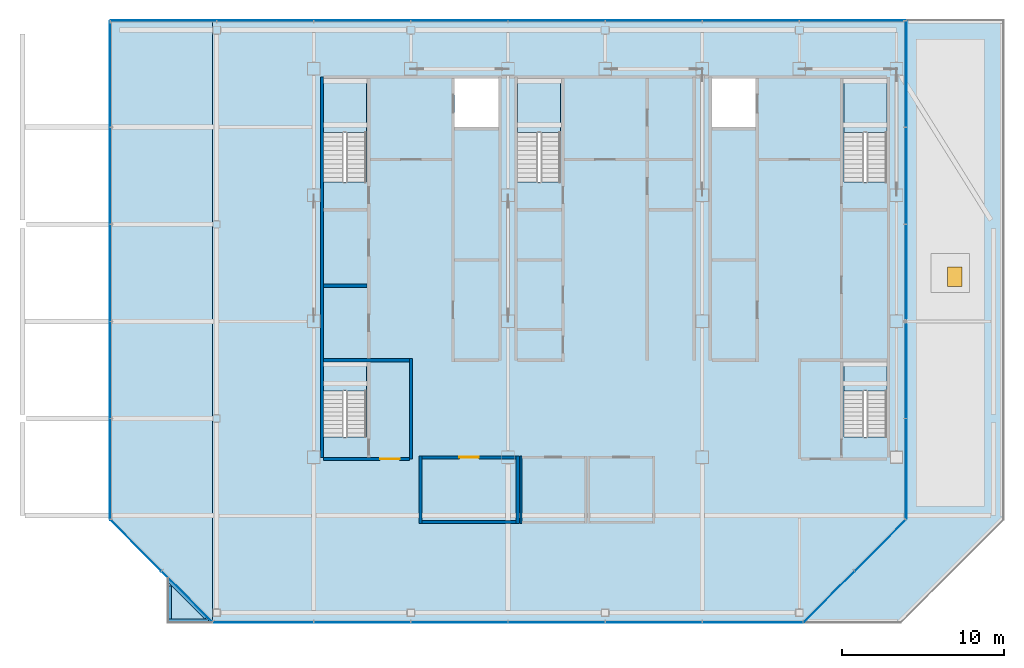
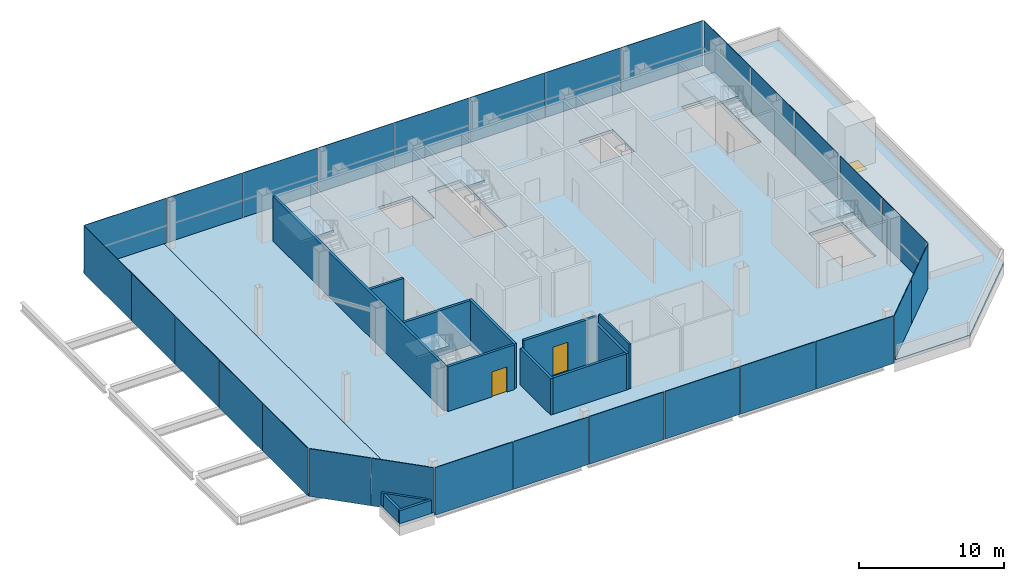
# One storey, part 12 of 17: 28 plates, 13 walls, 9 slabs, 2 doors, 1 window, 3 openings, 11 elements without a shape of their own.
"""IFC4 building model written with IfcOpenShell, lengths in metres."""

from ifc_helpers import new_model, si_unit, direction, frame, frame_2d, origin, origin_2d, place, context, subcontext, project, spatial, polyline, rectangle, outline, extrude, material, layer, layer_set, type_object, element, fill, aggregate, save


model = new_model("IFC4")

# Units and contexts
model_context = context("Model", 3, precision=1e-05, world=origin(), true_north=direction((0.0, 1.0)))
body_context = subcontext(model_context, "Body", "Model", "MODEL_VIEW")
ifc_project = project(units=[si_unit("LENGTHUNIT", "METRE"), si_unit("AREAUNIT", "SQUARE_METRE"), si_unit("VOLUMEUNIT", "CUBIC_METRE"), si_unit("PLANEANGLEUNIT", "RADIAN"), si_unit("MASSUNIT", "GRAM", prefix="KILO")], contexts=[model_context])

# Site, building, storey
site_placement = place(None, origin())
site = spatial("IfcSite", under=ifc_project, at=site_placement, CompositionType="ELEMENT")
building_placement = place(site_placement, origin())
building = spatial("IfcBuilding", under=site, at=building_placement, Name="Sorahane Residences", CompositionType="ELEMENT")
storey_placement = place(building_placement, frame((0.0, 0.0, 341.800048828125)))
storey = spatial("IfcBuildingStorey", under=building, at=storey_placement, Name="L81", CompositionType="ELEMENT", Elevation=341.800048828125)

# Slabs
ifc_material_1 = material(Name="Concrete C35", Category="concrete")
ifc_layer_1 = layer(ifc_material_1, 0.25)
ifc_layer_set_1 = layer_set([ifc_layer_1], Name="Composite floor slab 250 mm Concrete C35")
slab_type_1 = type_object("IfcSlabType", Name="Composite floor slab 250 mm Concrete C35", PredefinedType="FLOOR", material=ifc_layer_set_1)
slab_1_placement = place(storey_placement, frame((0.0, 0.0, -0.25)))
element("IfcSlab", 1, at=slab_1_placement, inside=storey, type_object=slab_type_1, Name="Slab L81", PredefinedType="FLOOR", context=body_context, shape_type="SweptSolid", body=[
    extrude(outline(polyline([(-0.25, 11.4013671875), (-0.25, 48.60009765625), (42.60009765625, 48.60009765625), (42.60009765625, 17.75146484375), (36.24853515625, 11.39990234375), (-0.24853515625, 11.39990234375), (-0.25, 11.4013671875)]), holes=[polyline([(30.60009765625, 42.0), (33.300048828125, 42.0), (33.300048828125, 45.0), (30.60009765625, 45.0), (30.60009765625, 42.0)]), polyline([(14.699951171875, 42.0), (17.39990234375, 42.0), (17.39990234375, 45.0), (14.699951171875, 45.0), (14.699951171875, 42.0)]), polyline([(9.25, 38.60009765625), (9.25, 45.0), (6.60009765625, 45.0), (6.60009765625, 38.60009765625), (9.25, 38.60009765625)]), polyline([(41.39990234375, 38.60009765625), (41.39990234375, 45.0), (38.75, 45.0), (38.75, 38.60009765625), (41.39990234375, 38.60009765625)]), polyline([(21.25, 38.60009765625), (21.25, 45.0), (18.60009765625, 45.0), (18.60009765625, 38.60009765625), (21.25, 38.60009765625)]), polyline([(9.25, 22.85009765625), (9.25, 27.5), (6.60009765625, 27.5), (6.60009765625, 22.85009765625), (9.25, 22.85009765625)]), polyline([(41.39990234375, 22.85009765625), (41.39990234375, 27.5), (38.75, 27.5), (38.75, 22.85009765625), (41.39990234375, 22.85009765625)])]), origin(), (0.0, 0.0, 1.0), 0.25),
])
slab_2_placement = place(storey_placement, frame((0.0, 0.0, -0.25)))
element("IfcSlab", 2, at=slab_2_placement, inside=storey, type_object=slab_type_1, Name="Slab L81/w", PredefinedType="FLOOR", context=body_context, shape_type="SweptSolid", body=[
    extrude(outline(polyline([(-6.60009765625, 17.75146484375), (-6.60009765625, 48.60009765625), (-0.25, 48.60009765625), (-0.25, 11.4013671875), (-6.60009765625, 17.75146484375)])), origin(), (0.0, 0.0, 1.0), 0.25),
])

# Curtain wall, plates
ifc_material_2 = material(Name="Dark low-e glass and black anodised aluminium", Category="aluminium")
curtain_wall_type = type_object("IfcCurtainWallType", Name="Curtain wall CW-6 Crown unitised wall", PredefinedType="NOTDEFINED", material=ifc_material_2)
curtain_wall_1_placement = place(storey_placement, origin())
curtain_wall_1 = element("IfcCurtainWall", 3, at=curtain_wall_1_placement, inside=storey, type_object=curtain_wall_type, Name="CW-6 curtain wall L81 S1", PredefinedType="NOTDEFINED")
ifc_material_3 = material(Name="Dark low-e glass with black ceramic frit", Category="glass")
ifc_layer_2 = layer(ifc_material_3, 0.0400390625)
ifc_layer_set_2 = layer_set([ifc_layer_2], Name="Curtain wall glass panel dark low-e crown with black frit spandrel band")
plate_type = type_object("IfcPlateType", Name="Curtain wall glass panel dark low-e crown with black frit spandrel band", PredefinedType="CURTAIN_PANEL", material=ifc_layer_set_2)
plate_1_placement = place(storey_placement, frame((2.88818359375, 11.39990234375, -0.25), z_axis=(0.0, 0.0, 1.0), x_axis=(1.0, 0.0, 0.0)))
plate_1 = element("IfcPlate", 4, at=plate_1_placement, type_object=plate_type, Name="CW-6 glass panel L81 S1.1", PredefinedType="CURTAIN_PANEL", context=body_context, shape_type="SweptSolid", body=[
    extrude(rectangle(XDim=6.173583984375, YDim=0.0400390625, at=origin_2d()), origin(), (0.0, 0.0, 1.0), 4.0),
])
plate_2_placement = place(storey_placement, frame((9.0, 11.39990234375, -0.25), z_axis=(0.0, 0.0, 1.0), x_axis=(1.0, 0.0, 0.0)))
plate_2 = element("IfcPlate", 5, at=plate_2_placement, type_object=plate_type, Name="CW-6 glass panel L81 S1.2", PredefinedType="CURTAIN_PANEL", context=body_context, shape_type="SweptSolid", body=[
    extrude(rectangle(XDim=5.949951171875, YDim=0.0400390625, at=origin_2d()), origin(), (0.0, 0.0, 1.0), 4.0),
])
plate_3_placement = place(storey_placement, frame((15.0, 11.39990234375, -0.25), z_axis=(0.0, 0.0, 1.0), x_axis=(1.0, 0.0, 0.0)))
plate_3 = element("IfcPlate", 6, at=plate_3_placement, type_object=plate_type, Name="CW-6 glass panel L81 S1.3", PredefinedType="CURTAIN_PANEL", context=body_context, shape_type="SweptSolid", body=[
    extrude(rectangle(XDim=5.949951171875, YDim=0.0400390625, at=origin_2d()), origin(), (0.0, 0.0, 1.0), 4.0),
])
plate_4_placement = place(storey_placement, frame((21.0, 11.39990234375, -0.25), z_axis=(0.0, 0.0, 1.0), x_axis=(1.0, 0.0, 0.0)))
plate_4 = element("IfcPlate", 7, at=plate_4_placement, type_object=plate_type, Name="CW-6 glass panel L81 S1.4", PredefinedType="CURTAIN_PANEL", context=body_context, shape_type="SweptSolid", body=[
    extrude(rectangle(XDim=5.949951171875, YDim=0.0400390625, at=origin_2d()), origin(), (0.0, 0.0, 1.0), 4.0),
])
plate_5_placement = place(storey_placement, frame((27.0, 11.39990234375, -0.25), z_axis=(0.0, 0.0, 1.0), x_axis=(1.0, 0.0, 0.0)))
plate_5 = element("IfcPlate", 8, at=plate_5_placement, type_object=plate_type, Name="CW-6 glass panel L81 S1.5", PredefinedType="CURTAIN_PANEL", context=body_context, shape_type="SweptSolid", body=[
    extrude(rectangle(XDim=5.949951171875, YDim=0.0400390625, at=origin_2d()), origin(), (0.0, 0.0, 1.0), 4.0),
])
plate_6_placement = place(storey_placement, frame((33.11181640625, 11.39990234375, -0.25), z_axis=(0.0, 0.0, 1.0), x_axis=(1.0, 0.0, 0.0)))
plate_6 = element("IfcPlate", 9, at=plate_6_placement, type_object=plate_type, Name="CW-6 glass panel L81 S1.6", PredefinedType="CURTAIN_PANEL", context=body_context, shape_type="SweptSolid", body=[
    extrude(rectangle(XDim=6.173583984375, YDim=0.0400390625, at=origin_2d()), origin(), (0.0, 0.0, 1.0), 4.0),
])
aggregate(curtain_wall_1, [plate_1, plate_2, plate_3, plate_4, plate_5, plate_6])

curtain_wall_2_placement = place(storey_placement, origin())
curtain_wall_2 = element("IfcCurtainWall", 10, at=curtain_wall_2_placement, inside=storey, type_object=curtain_wall_type, Name="CW-6 curtain wall L81 SE1", PredefinedType="NOTDEFINED")
plate_7_placement = place(storey_placement, frame((37.84521484375, 12.996826171875, -0.25), z_axis=(0.0, 0.0, 1.0), x_axis=(0.707106781187, 0.707106781187, 0.0)))
plate_7 = element("IfcPlate", 11, at=plate_7_placement, type_object=plate_type, Name="CW-6 glass panel L81 SE1.1", PredefinedType="CURTAIN_PANEL", context=body_context, shape_type="SweptSolid", body=[
    extrude(rectangle(XDim=4.416259765625, YDim=0.0400390625, at=origin_2d()), origin(), (0.0, 0.0, 1.0), 4.0),
])
plate_8_placement = place(storey_placement, frame((41.003173828125, 16.15478515625, -0.25), z_axis=(0.0, 0.0, 1.0), x_axis=(0.707106781187, 0.707106781187, 0.0)))
plate_8 = element("IfcPlate", 12, at=plate_8_placement, type_object=plate_type, Name="CW-6 glass panel L81 SE1.2", PredefinedType="CURTAIN_PANEL", context=body_context, shape_type="SweptSolid", body=[
    extrude(rectangle(XDim=4.416259765625, YDim=0.0400390625, at=origin_2d()), origin(), (0.0, 0.0, 1.0), 4.0),
])
aggregate(curtain_wall_2, [plate_7, plate_8])

curtain_wall_3_placement = place(storey_placement, origin())
curtain_wall_3 = element("IfcCurtainWall", 13, at=curtain_wall_3_placement, inside=storey, type_object=curtain_wall_type, Name="CW-6 curtain wall L81 E1", PredefinedType="NOTDEFINED")
plate_9_placement = place(storey_placement, frame((42.60009765625, 20.88818359375, -0.25), z_axis=(0.0, 0.0, 1.0), x_axis=(0.0, 1.0, 0.0)))
plate_9 = element("IfcPlate", 14, at=plate_9_placement, type_object=plate_type, Name="CW-6 glass panel L81 E1.1", PredefinedType="CURTAIN_PANEL", context=body_context, shape_type="SweptSolid", body=[
    extrude(rectangle(XDim=6.173583984375, YDim=0.0400390625, at=origin_2d()), origin(), (0.0, 0.0, 1.0), 4.0),
])
plate_10_placement = place(storey_placement, frame((42.60009765625, 26.91259765625, -0.25), z_axis=(0.0, 0.0, 1.0), x_axis=(0.0, 1.0, 0.0)))
plate_10 = element("IfcPlate", 15, at=plate_10_placement, type_object=plate_type, Name="CW-6 glass panel L81 E1.2", PredefinedType="CURTAIN_PANEL", context=body_context, shape_type="SweptSolid", body=[
    extrude(rectangle(XDim=5.77490234375, YDim=0.0400390625, at=origin_2d()), origin(), (0.0, 0.0, 1.0), 4.0),
])
plate_11_placement = place(storey_placement, frame((42.60009765625, 33.08740234375, -0.25), z_axis=(0.0, 0.0, 1.0), x_axis=(0.0, 1.0, 0.0)))
plate_11 = element("IfcPlate", 16, at=plate_11_placement, type_object=plate_type, Name="CW-6 glass panel L81 E1.3", PredefinedType="CURTAIN_PANEL", context=body_context, shape_type="SweptSolid", body=[
    extrude(rectangle(XDim=5.77490234375, YDim=0.0400390625, at=origin_2d()), origin(), (0.0, 0.0, 1.0), 4.0),
])
plate_12_placement = place(storey_placement, frame((42.60009765625, 39.0, -0.25), z_axis=(0.0, 0.0, 1.0), x_axis=(0.0, 1.0, 0.0)))
plate_12 = element("IfcPlate", 17, at=plate_12_placement, type_object=plate_type, Name="CW-6 glass panel L81 E1.4", PredefinedType="CURTAIN_PANEL", context=body_context, shape_type="SweptSolid", body=[
    extrude(rectangle(XDim=5.949951171875, YDim=0.0400390625, at=origin_2d()), origin(), (0.0, 0.0, 1.0), 4.0),
])
plate_13_placement = place(storey_placement, frame((42.60009765625, 45.28759765625, -0.25), z_axis=(0.0, 0.0, 1.0), x_axis=(0.0, 1.0, 0.0)))
plate_13 = element("IfcPlate", 18, at=plate_13_placement, type_object=plate_type, Name="CW-6 glass panel L81 E1.5", PredefinedType="CURTAIN_PANEL", context=body_context, shape_type="SweptSolid", body=[
    extrude(rectangle(XDim=6.52490234375, YDim=0.0400390625, at=origin_2d()), origin(), (0.0, 0.0, 1.0), 4.0),
])
aggregate(curtain_wall_3, [plate_9, plate_10, plate_11, plate_12, plate_13])

curtain_wall_4_placement = place(storey_placement, origin())
curtain_wall_4 = element("IfcCurtainWall", 19, at=curtain_wall_4_placement, inside=storey, type_object=curtain_wall_type, Name="CW-6 curtain wall L81 N1", PredefinedType="NOTDEFINED")
plate_14_placement = place(storey_placement, frame((39.28759765625, 48.60009765625, -0.25), z_axis=(0.0, 0.0, 1.0), x_axis=(-1.0, 0.0, 0.0)))
plate_14 = element("IfcPlate", 20, at=plate_14_placement, type_object=plate_type, Name="CW-6 glass panel L81 N1.1", PredefinedType="CURTAIN_PANEL", context=body_context, shape_type="SweptSolid", body=[
    extrude(rectangle(XDim=6.52490234375, YDim=0.0400390625, at=origin_2d()), origin(), (0.0, 0.0, 1.0), 4.0),
])
plate_15_placement = place(storey_placement, frame((33.0, 48.60009765625, -0.25), z_axis=(0.0, 0.0, 1.0), x_axis=(-1.0, 0.0, 0.0)))
plate_15 = element("IfcPlate", 21, at=plate_15_placement, type_object=plate_type, Name="CW-6 glass panel L81 N1.2", PredefinedType="CURTAIN_PANEL", context=body_context, shape_type="SweptSolid", body=[
    extrude(rectangle(XDim=5.949951171875, YDim=0.0400390625, at=origin_2d()), origin(), (0.0, 0.0, 1.0), 4.0),
])
plate_16_placement = place(storey_placement, frame((27.0, 48.60009765625, -0.25), z_axis=(0.0, 0.0, 1.0), x_axis=(-1.0, 0.0, 0.0)))
plate_16 = element("IfcPlate", 22, at=plate_16_placement, type_object=plate_type, Name="CW-6 glass panel L81 N1.3", PredefinedType="CURTAIN_PANEL", context=body_context, shape_type="SweptSolid", body=[
    extrude(rectangle(XDim=5.949951171875, YDim=0.0400390625, at=origin_2d()), origin(), (0.0, 0.0, 1.0), 4.0),
])
plate_17_placement = place(storey_placement, frame((21.0, 48.60009765625, -0.25), z_axis=(0.0, 0.0, 1.0), x_axis=(-1.0, 0.0, 0.0)))
plate_17 = element("IfcPlate", 23, at=plate_17_placement, type_object=plate_type, Name="CW-6 glass panel L81 N1.4", PredefinedType="CURTAIN_PANEL", context=body_context, shape_type="SweptSolid", body=[
    extrude(rectangle(XDim=5.949951171875, YDim=0.0400390625, at=origin_2d()), origin(), (0.0, 0.0, 1.0), 4.0),
])
plate_18_placement = place(storey_placement, frame((15.0, 48.60009765625, -0.25), z_axis=(0.0, 0.0, 1.0), x_axis=(-1.0, 0.0, 0.0)))
plate_18 = element("IfcPlate", 24, at=plate_18_placement, type_object=plate_type, Name="CW-6 glass panel L81 N1.5", PredefinedType="CURTAIN_PANEL", context=body_context, shape_type="SweptSolid", body=[
    extrude(rectangle(XDim=5.949951171875, YDim=0.0400390625, at=origin_2d()), origin(), (0.0, 0.0, 1.0), 4.0),
])
plate_19_placement = place(storey_placement, frame((9.0, 48.60009765625, -0.25), z_axis=(0.0, 0.0, 1.0), x_axis=(-1.0, 0.0, 0.0)))
plate_19 = element("IfcPlate", 25, at=plate_19_placement, type_object=plate_type, Name="CW-6 glass panel L81 N1.6", PredefinedType="CURTAIN_PANEL", context=body_context, shape_type="SweptSolid", body=[
    extrude(rectangle(XDim=5.949951171875, YDim=0.0400390625, at=origin_2d()), origin(), (0.0, 0.0, 1.0), 4.0),
])
plate_20_placement = place(storey_placement, frame((3.0, 48.60009765625, -0.25), z_axis=(0.0, 0.0, 1.0), x_axis=(-1.0, 0.0, 0.0)))
plate_20 = element("IfcPlate", 26, at=plate_20_placement, type_object=plate_type, Name="CW-6 glass panel L81 N1.7", PredefinedType="CURTAIN_PANEL", context=body_context, shape_type="SweptSolid", body=[
    extrude(rectangle(XDim=5.949951171875, YDim=0.0400390625, at=origin_2d()), origin(), (0.0, 0.0, 1.0), 4.0),
])
plate_21_placement = place(storey_placement, frame((-3.28759765625, 48.60009765625, -0.25), z_axis=(0.0, 0.0, 1.0), x_axis=(-1.0, 0.0, 0.0)))
plate_21 = element("IfcPlate", 27, at=plate_21_placement, type_object=plate_type, Name="CW-6 glass panel L81 N1.8", PredefinedType="CURTAIN_PANEL", context=body_context, shape_type="SweptSolid", body=[
    extrude(rectangle(XDim=6.52490234375, YDim=0.0400390625, at=origin_2d()), origin(), (0.0, 0.0, 1.0), 4.0),
])
aggregate(curtain_wall_4, [plate_14, plate_15, plate_16, plate_17, plate_18, plate_19, plate_20, plate_21])

curtain_wall_5_placement = place(storey_placement, origin())
curtain_wall_5 = element("IfcCurtainWall", 28, at=curtain_wall_5_placement, inside=storey, type_object=curtain_wall_type, Name="CW-6 curtain wall L81 W1", PredefinedType="NOTDEFINED")
plate_22_placement = place(storey_placement, frame((-6.60009765625, 45.28759765625, -0.25), z_axis=(0.0, 0.0, 1.0), x_axis=(0.0, -1.0, 0.0)))
plate_22 = element("IfcPlate", 29, at=plate_22_placement, type_object=plate_type, Name="CW-6 glass panel L81 W1.1", PredefinedType="CURTAIN_PANEL", context=body_context, shape_type="SweptSolid", body=[
    extrude(rectangle(XDim=6.52490234375, YDim=0.0400390625, at=origin_2d()), origin(), (0.0, 0.0, 1.0), 4.0),
])
plate_23_placement = place(storey_placement, frame((-6.60009765625, 39.0, -0.25), z_axis=(0.0, 0.0, 1.0), x_axis=(0.0, -1.0, 0.0)))
plate_23 = element("IfcPlate", 30, at=plate_23_placement, type_object=plate_type, Name="CW-6 glass panel L81 W1.2", PredefinedType="CURTAIN_PANEL", context=body_context, shape_type="SweptSolid", body=[
    extrude(rectangle(XDim=5.949951171875, YDim=0.0400390625, at=origin_2d()), origin(), (0.0, 0.0, 1.0), 4.0),
])
plate_24_placement = place(storey_placement, frame((-6.60009765625, 33.0, -0.25), z_axis=(0.0, 0.0, 1.0), x_axis=(0.0, -1.0, 0.0)))
plate_24 = element("IfcPlate", 31, at=plate_24_placement, type_object=plate_type, Name="CW-6 glass panel L81 W1.3", PredefinedType="CURTAIN_PANEL", context=body_context, shape_type="SweptSolid", body=[
    extrude(rectangle(XDim=5.949951171875, YDim=0.0400390625, at=origin_2d()), origin(), (0.0, 0.0, 1.0), 4.0),
])
plate_25_placement = place(storey_placement, frame((-6.60009765625, 27.0, -0.25), z_axis=(0.0, 0.0, 1.0), x_axis=(0.0, -1.0, 0.0)))
plate_25 = element("IfcPlate", 32, at=plate_25_placement, type_object=plate_type, Name="CW-6 glass panel L81 W1.4", PredefinedType="CURTAIN_PANEL", context=body_context, shape_type="SweptSolid", body=[
    extrude(rectangle(XDim=5.949951171875, YDim=0.0400390625, at=origin_2d()), origin(), (0.0, 0.0, 1.0), 4.0),
])
plate_26_placement = place(storey_placement, frame((-6.60009765625, 20.88818359375, -0.25), z_axis=(0.0, 0.0, 1.0), x_axis=(0.0, -1.0, 0.0)))
plate_26 = element("IfcPlate", 33, at=plate_26_placement, type_object=plate_type, Name="CW-6 glass panel L81 W1.5", PredefinedType="CURTAIN_PANEL", context=body_context, shape_type="SweptSolid", body=[
    extrude(rectangle(XDim=6.173583984375, YDim=0.0400390625, at=origin_2d()), origin(), (0.0, 0.0, 1.0), 4.0),
])
aggregate(curtain_wall_5, [plate_22, plate_23, plate_24, plate_25, plate_26])

curtain_wall_6_placement = place(storey_placement, origin())
curtain_wall_6 = element("IfcCurtainWall", 34, at=curtain_wall_6_placement, inside=storey, type_object=curtain_wall_type, Name="CW-6 curtain wall L81 SW1", PredefinedType="NOTDEFINED")
plate_27_placement = place(storey_placement, frame((-5.003173828125, 16.15478515625, -0.25), z_axis=(0.0, 0.0, 1.0), x_axis=(0.707106781187, -0.707106781187, 0.0)))
plate_27 = element("IfcPlate", 35, at=plate_27_placement, type_object=plate_type, Name="CW-6 glass panel L81 SW1.1", PredefinedType="CURTAIN_PANEL", context=body_context, shape_type="SweptSolid", body=[
    extrude(rectangle(XDim=4.416259765625, YDim=0.0400390625, at=origin_2d()), origin(), (0.0, 0.0, 1.0), 4.0),
])
plate_28_placement = place(storey_placement, frame((-1.84521484375, 12.996826171875, -0.25), z_axis=(0.0, 0.0, 1.0), x_axis=(0.707106781187, -0.707106781187, 0.0)))
plate_28 = element("IfcPlate", 36, at=plate_28_placement, type_object=plate_type, Name="CW-6 glass panel L81 SW1.2", PredefinedType="CURTAIN_PANEL", context=body_context, shape_type="SweptSolid", body=[
    extrude(rectangle(XDim=4.416259765625, YDim=0.0400390625, at=origin_2d()), origin(), (0.0, 0.0, 1.0), 4.0),
])
aggregate(curtain_wall_6, [plate_27, plate_28])

# Slab
ifc_material_4 = material(Name="Concrete C35", Category="concrete")
ifc_layer_3 = layer(ifc_material_4, 0.25)
ifc_layer_set_3 = layer_set([ifc_layer_3], Name="Roof terrace slab Concrete C35 paved 250")
slab_type_2 = type_object("IfcSlabType", Name="Roof terrace slab Concrete C35 paved 250", PredefinedType="ROOF", material=ifc_layer_set_3)
slab_3_placement = place(storey_placement, frame((0.0, 0.0, -0.25)))
element("IfcSlab", 37, at=slab_3_placement, inside=storey, type_object=slab_type_2, Name="Garden roof slab L81.1", PredefinedType="ROOF", context=body_context, shape_type="SweptSolid", body=[
    extrude(outline(polyline([(-0.24853515625, 11.39990234375), (-3.0, 11.39990234375), (-3.0, 14.151611328125), (-0.24853515625, 11.39990234375)])), origin(), (0.0, 0.0, 1.0), 0.25),
])

# Slab, opening, window
slab_4_placement = place(storey_placement, frame((0.0, 0.0, -0.25)))
slab_4 = element("IfcSlab", 38, at=slab_4_placement, inside=storey, type_object=slab_type_2, Name="Garden roof slab L81.2", PredefinedType="ROOF", context=body_context, shape_type="SweptSolid", body=[
    extrude(outline(polyline([(48.60009765625, 17.75146484375), (42.24853515625, 11.39990234375), (36.24853515625, 11.39990234375), (42.60009765625, 17.75146484375), (42.60009765625, 48.60009765625), (48.60009765625, 48.60009765625), (48.60009765625, 17.75146484375)])), origin(), (0.0, 0.0, 1.0), 0.25),
])
opening_1_placement = place(slab_4_placement, frame((45.60009765625, 32.76611328125, 0.0)))
opening_1 = element("IfcOpeningElement", 39, at=opening_1_placement, cuts=slab_4, Name="Opening RH-1", PredefinedType="OPENING", context=body_context, shape_type="SweptSolid", body=[
    extrude(rectangle(XDim=0.89990234375, YDim=1.199951171875, at=origin_2d()), frame((0.0, 0.0, -0.010009765625)), (0.0, 0.0, 1.0), 0.27001953125),
])
ifc_material_5 = material(Name="Aluminium and glass", Category="aluminium")
window_type = type_object("IfcWindowType", Name="ROOF ACCESS HATCH aluminium 900x1200", PartitioningType="SINGLE_PANEL", PredefinedType="SKYLIGHT", material=ifc_material_5)
window_placement = place(opening_1_placement, frame((0.0, 0.0, 0.199951171875)))
window = element("IfcWindow", 40, at=window_placement, inside=storey, type_object=window_type, Name="Roof access hatch L81.2", OverallHeight=1.199951171875, OverallWidth=0.89990234375, PartitioningType="SINGLE_PANEL", PredefinedType="SKYLIGHT", context=body_context, shape_type="SweptSolid", body=[
    extrude(rectangle(XDim=0.89990234375, YDim=1.199951171875, at=origin_2d()), origin(), (0.0, 0.0, 1.0), 0.050048828125),
])
fill(opening_1, window)

# Stair, slab
ifc_material_6 = material(Name="Concrete C40", Category="concrete")
stair_type = type_object("IfcStairType", Name="Dog-leg stair 1250 Concrete C40", PredefinedType="HALF_TURN_STAIR", material=ifc_material_6)
stair_1_placement = place(storey_placement, origin())
stair_1 = element("IfcStair", 41, at=stair_1_placement, inside=storey, type_object=stair_type, Name="L81 Stair S1", PredefinedType="HALF_TURN_STAIR")
ifc_material_7 = material(Name="Concrete C40", Category="concrete")
ifc_layer_4 = layer(ifc_material_7, 0.199951171875)
ifc_layer_set_4 = layer_set([ifc_layer_4], Name="Stair landing 200 Concrete C40")
slab_type_3 = type_object("IfcSlabType", Name="Stair landing 200 Concrete C40", PredefinedType="LANDING", material=ifc_layer_set_4)
slab_5_placement = place(storey_placement, frame((0.0, 0.0, 1.800048828125)))
slab_5 = element("IfcSlab", 42, at=slab_5_placement, type_object=slab_type_3, Name="S1 landing 1", PredefinedType="LANDING", context=body_context, shape_type="SweptSolid", body=[
    extrude(outline(polyline([(9.25, 41.679931640625), (9.25, 45.0), (6.60009765625, 45.0), (6.60009765625, 41.679931640625), (9.25, 41.679931640625)])), origin(), (0.0, 0.0, 1.0), 0.199951171875),
])
aggregate(stair_1, [slab_5])

stair_2_placement = place(storey_placement, origin())
stair_2 = element("IfcStair", 43, at=stair_2_placement, inside=storey, type_object=stair_type, Name="L81 Stair S2", PredefinedType="HALF_TURN_STAIR")
slab_6_placement = place(storey_placement, frame((0.0, 0.0, 1.800048828125)))
slab_6 = element("IfcSlab", 44, at=slab_6_placement, type_object=slab_type_3, Name="S2 landing 1", PredefinedType="LANDING", context=body_context, shape_type="SweptSolid", body=[
    extrude(outline(polyline([(41.39990234375, 41.679931640625), (41.39990234375, 45.0), (38.75, 45.0), (38.75, 41.679931640625), (41.39990234375, 41.679931640625)])), origin(), (0.0, 0.0, 1.0), 0.199951171875),
])
aggregate(stair_2, [slab_6])

stair_3_placement = place(storey_placement, origin())
stair_3 = element("IfcStair", 45, at=stair_3_placement, inside=storey, type_object=stair_type, Name="L81 Stair S3", PredefinedType="HALF_TURN_STAIR")
slab_7_placement = place(storey_placement, frame((0.0, 0.0, 1.800048828125)))
slab_7 = element("IfcSlab", 46, at=slab_7_placement, type_object=slab_type_3, Name="S3 landing 1", PredefinedType="LANDING", context=body_context, shape_type="SweptSolid", body=[
    extrude(outline(polyline([(21.25, 41.679931640625), (21.25, 45.0), (18.60009765625, 45.0), (18.60009765625, 41.679931640625), (21.25, 41.679931640625)])), origin(), (0.0, 0.0, 1.0), 0.199951171875),
])
aggregate(stair_3, [slab_7])

stair_4_placement = place(storey_placement, origin())
stair_4 = element("IfcStair", 47, at=stair_4_placement, inside=storey, type_object=stair_type, Name="L81 Stair S4", PredefinedType="HALF_TURN_STAIR")
slab_8_placement = place(storey_placement, frame((0.0, 0.0, 1.800048828125)))
slab_8 = element("IfcSlab", 48, at=slab_8_placement, type_object=slab_type_3, Name="S4 landing 1", PredefinedType="LANDING", context=body_context, shape_type="SweptSolid", body=[
    extrude(outline(polyline([(9.25, 25.7099609375), (9.25, 27.5), (6.60009765625, 27.5), (6.60009765625, 25.7099609375), (9.25, 25.7099609375)])), origin(), (0.0, 0.0, 1.0), 0.199951171875),
])
aggregate(stair_4, [slab_8])

stair_5_placement = place(storey_placement, origin())
stair_5 = element("IfcStair", 49, at=stair_5_placement, inside=storey, type_object=stair_type, Name="L81 Stair S5", PredefinedType="HALF_TURN_STAIR")
slab_9_placement = place(storey_placement, frame((0.0, 0.0, 1.800048828125)))
slab_9 = element("IfcSlab", 50, at=slab_9_placement, type_object=slab_type_3, Name="S5 landing 1", PredefinedType="LANDING", context=body_context, shape_type="SweptSolid", body=[
    extrude(outline(polyline([(41.39990234375, 25.7099609375), (41.39990234375, 27.5), (38.75, 27.5), (38.75, 25.7099609375), (41.39990234375, 25.7099609375)])), origin(), (0.0, 0.0, 1.0), 0.199951171875),
])
aggregate(stair_5, [slab_9])

# Walls
ifc_material_8 = material(Name="Concrete C30", Category="concrete")
ifc_layer_5 = layer(ifc_material_8, 0.199951171875)
ifc_layer_set_5 = layer_set([ifc_layer_5], Name="Core face wall 200 EI 180")
wall_type_1 = type_object("IfcWallType", Name="Core face wall 200 EI 180", PredefinedType="SOLIDWALL", material=ifc_layer_set_5)
wall_1_placement = place(storey_placement, frame((6.5, 21.60009765625, 0.0), z_axis=(0.0, 0.0, 1.0), x_axis=(0.0, 1.0, 0.0)))
element("IfcWall", 51, at=wall_1_placement, inside=storey, type_object=wall_type_1, Name="L81 core face wall", PredefinedType="SOLIDWALL", context=body_context, shape_type="SweptSolid", body=[
    extrude(rectangle(XDim=23.5, YDim=0.199951171875, at=frame_2d((11.75, 0.0))), origin(), (0.0, 0.0, 1.0), 3.75),
])
ifc_material_9 = material(Name="Concrete C30", Category="concrete")
ifc_layer_6 = layer(ifc_material_9, 0.199951171875)
ifc_layer_set_6 = layer_set([ifc_layer_6], Name="Front room wall 200 EI 120")
wall_type_2 = type_object("IfcWallType", Name="Front room wall 200 EI 120", PredefinedType="PARTITIONING", material=ifc_layer_set_6)
wall_2_placement = place(storey_placement, frame((12.0, 21.5, 0.0), z_axis=(0.0, 0.0, 1.0), x_axis=(0.0, 1.0, 0.0)))
element("IfcWall", 52, at=wall_2_placement, inside=storey, type_object=wall_type_2, Name="L81 front room wall", PredefinedType="PARTITIONING", context=body_context, shape_type="SweptSolid", body=[
    extrude(rectangle(XDim=6.199951171875, YDim=0.199951171875, at=frame_2d((3.10009765625, 0.0))), origin(), (0.0, 0.0, 1.0), 3.75),
])
ifc_material_10 = material(Name="Concrete C35", Category="concrete")
ifc_layer_7 = layer(ifc_material_10, 0.199951171875)
ifc_layer_set_7 = layer_set([ifc_layer_7], Name="Parapet wall Concrete C35 200")
wall_type_3 = type_object("IfcWallType", Name="Parapet wall Concrete C35 200", PredefinedType="PARAPET", material=ifc_layer_set_7)
wall_3_placement = place(storey_placement, frame((-0.489990234375, 11.5, 0.0), z_axis=(0.0, 0.0, 1.0), x_axis=(-1.0, 0.0, 0.0)))
element("IfcWall", 53, at=wall_3_placement, inside=storey, type_object=wall_type_3, Name="Roof parapet L81.1.1.1", PredefinedType="PARAPET", context=body_context, shape_type="SweptSolid", body=[
    extrude(rectangle(XDim=2.510009765625, YDim=0.199951171875, at=frame_2d((1.2548828125, 0.0))), origin(), (0.0, 0.0, 1.0), 1.099853515625),
])
wall_4_placement = place(storey_placement, frame((-2.89990234375, 11.60009765625, 0.0), z_axis=(0.0, 0.0, 1.0), x_axis=(0.0, 1.0, 0.0)))
element("IfcWall", 54, at=wall_4_placement, inside=storey, type_object=wall_type_3, Name="Roof parapet L81.1.1.2", PredefinedType="PARAPET", context=body_context, shape_type="SweptSolid", body=[
    extrude(rectangle(XDim=2.06494140625, YDim=0.199951171875, at=frame_2d((1.032470703125, 0.0))), origin(), (0.0, 0.0, 1.0), 1.099853515625),
])
wall_5_placement = place(storey_placement, frame((-2.970703125, 13.980712890625, 0.0), z_axis=(0.0, 0.0, 1.0), x_axis=(0.707106781187, -0.707106781187, 0.0)))
element("IfcWall", 55, at=wall_5_placement, inside=storey, type_object=wall_type_3, Name="Roof parapet L81.1.1.3", PredefinedType="PARAPET", context=body_context, shape_type="SweptSolid", body=[
    extrude(rectangle(XDim=3.263427734375, YDim=0.199951171875, at=frame_2d((1.6318359375, 0.0))), origin(), (0.0, 0.0, 1.0), 1.099853515625),
])
ifc_material_11 = material(Name="Gypsum board partition on steel studs", Category="steel")
ifc_layer_8 = layer(ifc_material_11, 0.14990234375)
ifc_layer_set_8 = layer_set([ifc_layer_8], Name="Partition 150 EI 90")
wall_type_4 = type_object("IfcWallType", Name="Partition 150 EI 90", PredefinedType="PARTITIONING", material=ifc_layer_set_8)
wall_6_placement = place(storey_placement, frame((18.800048828125, 17.52490234375, 0.0), z_axis=(0.0, 0.0, 1.0), x_axis=(0.0, 1.0, 0.0)))
element("IfcWall", 56, at=wall_6_placement, inside=storey, type_object=wall_type_4, Name="L81 partition", PredefinedType="PARTITIONING", context=body_context, shape_type="SweptSolid", body=[
    extrude(rectangle(XDim=4.150146484375, YDim=0.14990234375, at=frame_2d((2.0751953125, 0.0))), origin(), (0.0, 0.0, 1.0), 3.75),
])
ifc_material_12 = material(Name="Concrete blockwork C20 wall", Category="masonry")
ifc_layer_9 = layer(ifc_material_12, 0.199951171875)
ifc_layer_set_9 = layer_set([ifc_layer_9], Name="Plant wall 200 EI 120")
wall_type_5 = type_object("IfcWallType", Name="Plant wall 200 EI 120", PredefinedType="SOLIDWALL", material=ifc_layer_set_9)
for number, where, z_axis, x_axis, name in (
    (57, (12.60009765625, 17.5, 0.0), (0.0, 0.0, 1.0), (0.0, 1.0, 0.0), "L81 plant wall"),
    (58, (18.60009765625, 17.5, 0.0), (0.0, 0.0, 1.0), (0.0, 1.0, 0.0), "L81 plant wall"),
):
    element("IfcWall", number, at=place(storey_placement, frame(where, z_axis=z_axis, x_axis=x_axis)), inside=storey, type_object=wall_type_5, Name=name, PredefinedType="SOLIDWALL", context=body_context, shape_type="SweptSolid", body=[
        extrude(rectangle(XDim=4.199951171875, YDim=0.199951171875, at=frame_2d((2.10009765625, 0.0))), origin(), (0.0, 0.0, 1.0), 3.050048828125),
    ])
wall_7_placement = place(storey_placement, frame((12.699951171875, 17.60009765625, 0.0), z_axis=(0.0, 0.0, 1.0), x_axis=(1.0, 0.0, 0.0)))
element("IfcWall", 59, at=wall_7_placement, inside=storey, type_object=wall_type_5, Name="L81 plant wall", PredefinedType="SOLIDWALL", context=body_context, shape_type="SweptSolid", body=[
    extrude(rectangle(XDim=5.800048828125, YDim=0.199951171875, at=frame_2d((2.89990234375, 0.0))), origin(), (0.0, 0.0, 1.0), 3.050048828125),
])

# Wall, opening, door
wall_8_placement = place(storey_placement, frame((12.699951171875, 21.60009765625, 0.0), z_axis=(0.0, 0.0, 1.0), x_axis=(1.0, 0.0, 0.0)))
wall_8 = element("IfcWall", 60, at=wall_8_placement, inside=storey, type_object=wall_type_5, Name="L81 plant wall", PredefinedType="SOLIDWALL", context=body_context, shape_type="SweptSolid", body=[
    extrude(rectangle(XDim=5.800048828125, YDim=0.199951171875, at=frame_2d((2.89990234375, 0.0))), origin(), (0.0, 0.0, 1.0), 3.75),
])
opening_2_placement = place(wall_8_placement, frame((2.300048828125, 0.0, 0.0)))
opening_2 = element("IfcOpeningElement", 61, at=opening_2_placement, cuts=wall_8, Name="Opening L81-01", PredefinedType="OPENING", context=body_context, shape_type="SweptSolid", body=[
    extrude(rectangle(XDim=1.199951171875, YDim=2.39990234375, at=frame_2d((0.60009765625, 1.199951171875))), frame((0.0, 0.10986328125, 0.0), z_axis=(0.0, -1.0, 0.0), x_axis=(1.0, 0.0, 0.0)), (0.0, 0.0, 1.0), 0.219970703125),
])
ifc_material_13 = material(Name="Steel", Category="steel")
door_type_1 = type_object("IfcDoorType", Name="Plant door 1200x2400 FD60", OperationType="NOTDEFINED", PredefinedType="DOOR", material=ifc_material_13)
door_1_placement = place(opening_2_placement, origin())
door_1 = element("IfcDoor", 62, at=door_1_placement, inside=storey, type_object=door_type_1, Name="Plant door L81-01", OperationType="SINGLE_SWING_LEFT", OverallHeight=2.39990234375, OverallWidth=1.199951171875, PredefinedType="DOOR", context=body_context, shape_type="SweptSolid", body=[
    extrude(rectangle(XDim=1.199951171875, YDim=2.39990234375, at=frame_2d((0.60009765625, 1.199951171875))), frame((0.0, 0.02490234375, 0.0), z_axis=(0.0, -1.0, 0.0), x_axis=(1.0, 0.0, 0.0)), (0.0, 0.0, 1.0), 0.050048828125),
])
fill(opening_2, door_1)

# Wall
ifc_material_14 = material(Name="Concrete C30", Category="concrete")
ifc_layer_10 = layer(ifc_material_14, 0.199951171875)
ifc_layer_set_10 = layer_set([ifc_layer_10], Name="Service room partition 200 EI 60")
wall_type_6 = type_object("IfcWallType", Name="Service room partition 200 EI 60", PredefinedType="PARTITIONING", material=ifc_layer_set_10)
wall_9_placement = place(storey_placement, frame((6.60009765625, 32.199951171875, 0.0), z_axis=(0.0, 0.0, 1.0), x_axis=(1.0, 0.0, 0.0)))
element("IfcWall", 63, at=wall_9_placement, inside=storey, type_object=wall_type_6, Name="L81 service room wall", PredefinedType="PARTITIONING", context=body_context, shape_type="SweptSolid", body=[
    extrude(rectangle(XDim=2.699951171875, YDim=0.199951171875, at=frame_2d((1.35009765625, 0.0))), origin(), (0.0, 0.0, 1.0), 3.75),
])

# Wall, opening, door
ifc_material_15 = material(Name="Concrete C30", Category="concrete")
ifc_layer_11 = layer(ifc_material_15, 0.199951171875)
ifc_layer_set_11 = layer_set([ifc_layer_11], Name="Stair enclosure wall 200 EI 120")
wall_type_7 = type_object("IfcWallType", Name="Stair enclosure wall 200 EI 120", PredefinedType="SOLIDWALL", material=ifc_layer_set_11)
wall_10_placement = place(storey_placement, frame((6.60009765625, 21.5, 0.0), z_axis=(0.0, 0.0, 1.0), x_axis=(1.0, 0.0, 0.0)))
wall_10 = element("IfcWall", 64, at=wall_10_placement, inside=storey, type_object=wall_type_7, Name="L81 stair enclosure wall", PredefinedType="SOLIDWALL", context=body_context, shape_type="SweptSolid", body=[
    extrude(rectangle(XDim=5.2998046875, YDim=0.199951171875, at=frame_2d((2.64990234375, 0.0))), origin(), (0.0, 0.0, 1.0), 3.75),
])
opening_3_placement = place(wall_10_placement, frame((3.5, 0.0, 0.0)))
opening_3 = element("IfcOpeningElement", 65, at=opening_3_placement, cuts=wall_10, Name="Opening L81-C01", PredefinedType="OPENING", context=body_context, shape_type="SweptSolid", body=[
    extrude(rectangle(XDim=1.199951171875, YDim=2.10009765625, at=frame_2d((0.60009765625, 1.050048828125))), frame((0.0, 0.10986328125, 0.0), z_axis=(0.0, -1.0, 0.0), x_axis=(1.0, 0.0, 0.0)), (0.0, 0.0, 1.0), 0.219970703125),
])
ifc_material_16 = material(Name="Steel", Category="steel")
door_type_2 = type_object("IfcDoorType", Name="Stair front room door 1200x2100 FD120", OperationType="NOTDEFINED", PredefinedType="DOOR", material=ifc_material_16)
door_2_placement = place(opening_3_placement, frame((1.199951171875, 0.0, 0.0), z_axis=(0.0, 0.0, 1.0), x_axis=(-1.0, 0.0, 0.0)))
door_2 = element("IfcDoor", 66, at=door_2_placement, inside=storey, type_object=door_type_2, Name="Stair front room door Stair S4 front room L81", OperationType="SINGLE_SWING_RIGHT", OverallHeight=2.10009765625, OverallWidth=1.199951171875, PredefinedType="DOOR", context=body_context, shape_type="SweptSolid", body=[
    extrude(rectangle(XDim=1.199951171875, YDim=2.10009765625, at=frame_2d((0.60009765625, 1.050048828125))), frame((0.0, 0.02490234375, 0.0), z_axis=(0.0, -1.0, 0.0), x_axis=(1.0, 0.0, 0.0)), (0.0, 0.0, 1.0), 0.050048828125),
])
fill(opening_3, door_2)

# Wall
wall_11_placement = place(storey_placement, frame((6.60009765625, 27.60009765625, 0.0), z_axis=(0.0, 0.0, 1.0), x_axis=(1.0, 0.0, 0.0)))
element("IfcWall", 67, at=wall_11_placement, inside=storey, type_object=wall_type_7, Name="L81 stair enclosure wall", PredefinedType="SOLIDWALL", context=body_context, shape_type="SweptSolid", body=[
    extrude(rectangle(XDim=5.2998046875, YDim=0.199951171875, at=frame_2d((2.64990234375, 0.0))), origin(), (0.0, 0.0, 1.0), 3.75),
])

save(model, "model.ifc")
